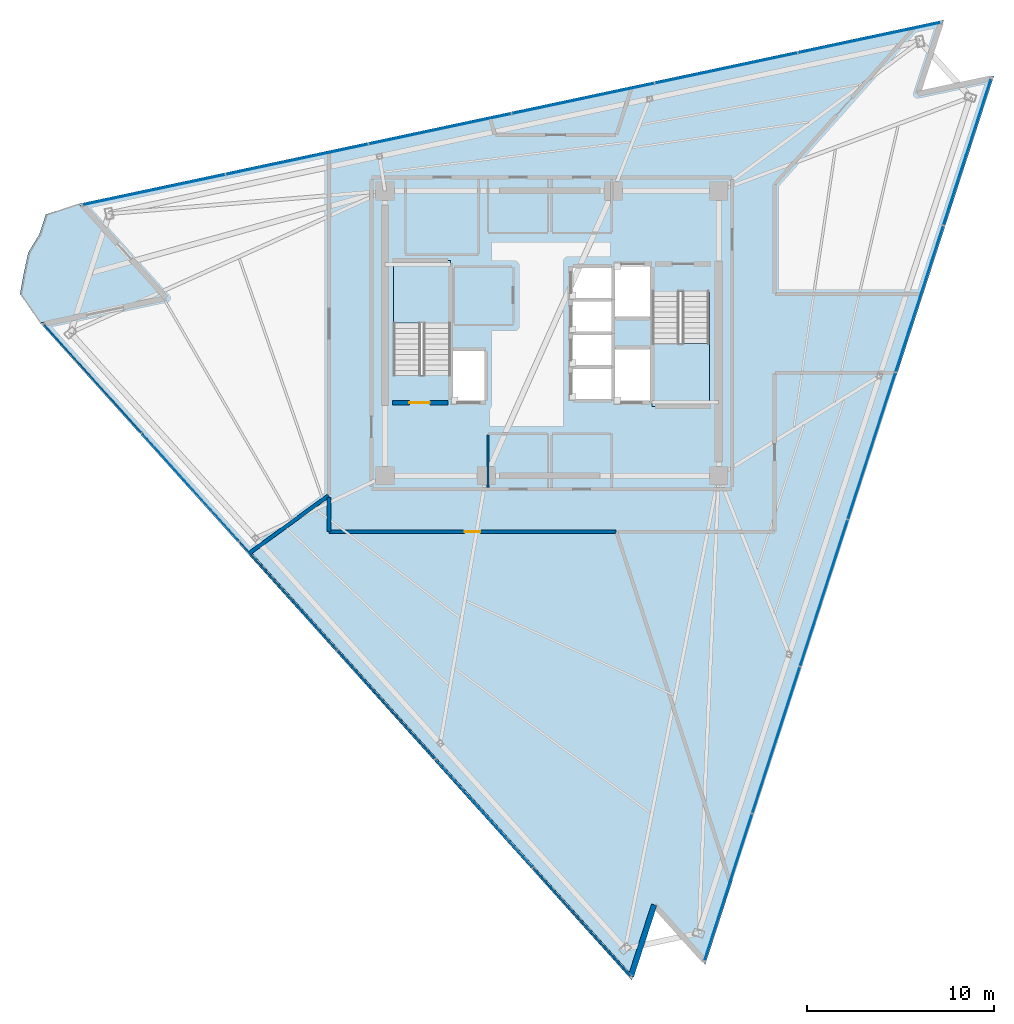
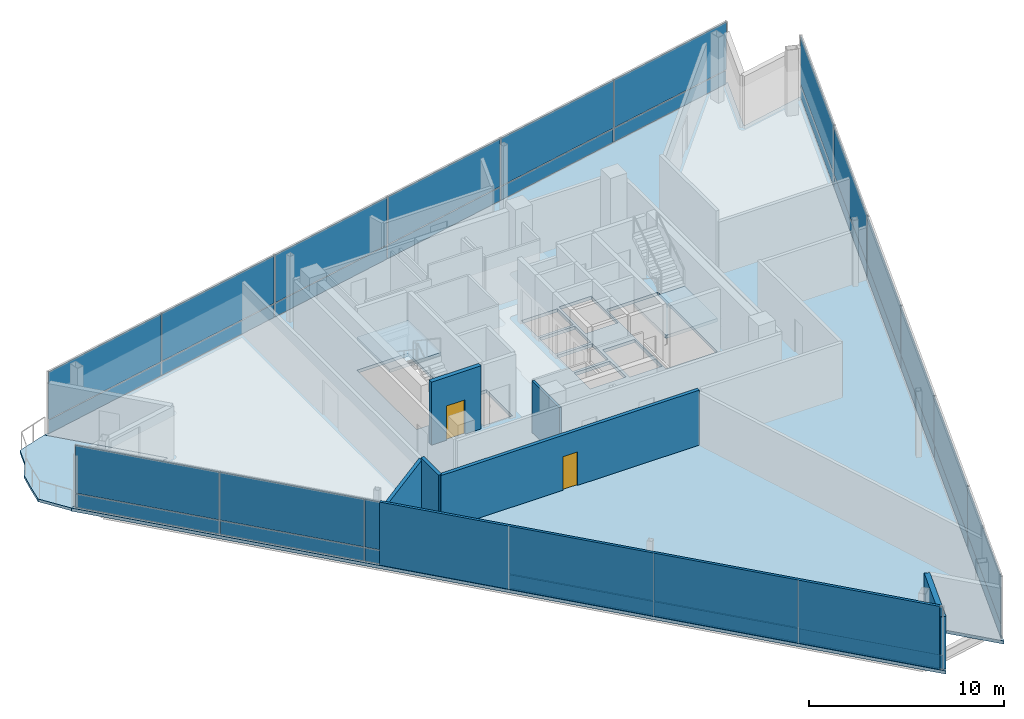
# One storey, part 10 of 16: 36 plates, 7 walls, 4 slabs, 2 doors, 2 openings, 5 elements without a shape of their own.
"""IFC4 building model written with IfcOpenShell, lengths in metres."""

from ifc_helpers import new_model, si_unit, direction, frame, frame_2d, origin, origin_2d, place, context, subcontext, project, spatial, polyline, rectangle, outline, extrude, material, layer, layer_set, type_object, element, fill, aggregate, save


model = new_model("IFC4")

# Units and contexts
model_context = context("Model", 3, precision=1e-05, world=origin(), true_north=direction((0.0, 1.0)))
body_context = subcontext(model_context, "Body", "Model", "MODEL_VIEW")
ifc_project = project(units=[si_unit("LENGTHUNIT", "METRE"), si_unit("AREAUNIT", "SQUARE_METRE"), si_unit("VOLUMEUNIT", "CUBIC_METRE"), si_unit("PLANEANGLEUNIT", "RADIAN"), si_unit("MASSUNIT", "GRAM", prefix="KILO")], contexts=[model_context])

# Site, building, storey
site_placement = place(None, origin())
site = spatial("IfcSite", under=ifc_project, at=site_placement, CompositionType="ELEMENT")
building_placement = place(site_placement, origin())
building = spatial("IfcBuilding", under=site, at=building_placement, Name="Tharavind Bronze Gate", CompositionType="ELEMENT")
storey_placement = place(building_placement, frame((0.0, 0.0, 302.14990234375)))
storey = spatial("IfcBuildingStorey", under=building, at=storey_placement, Name="L78", CompositionType="ELEMENT", Elevation=302.14990234375)

# Curtain wall, plates
ifc_material_1 = material(Name="Anodised Bronze Aluminium", Category="aluminium")
ifc_layer_1 = layer(ifc_material_1, 0.219970703125)
ifc_layer_set_1 = layer_set([ifc_layer_1], Name="Anodised Bronze Aluminium")
curtain_wall_type = type_object("IfcCurtainWallType", Name="UNITISED CURTAIN WALL CROWN", PredefinedType="USERDEFINED", material=ifc_layer_set_1)
curtain_wall_1_placement = place(storey_placement, origin())
curtain_wall_1 = element("IfcCurtainWall", 1, at=curtain_wall_1_placement, inside=storey, type_object=curtain_wall_type, Name="L78 unitised curtain wall crown CW-L78-S1", ObjectType="UNITISED CURTAIN WALL", PredefinedType="USERDEFINED")
ifc_material_2 = material(Name="Patinated Bronze Alloy Sheet", Category="bronze")
ifc_layer_2 = layer(ifc_material_2, 0.01611328125)
ifc_layer_set_2 = layer_set([ifc_layer_2], Name="Patinated Bronze Alloy Sheet")
plate_type_1 = type_object("IfcPlateType", Name="BRONZE SPANDREL CLADDING PANEL 16", PredefinedType="CURTAIN_PANEL", material=ifc_layer_set_2)
plate_1_placement = place(storey_placement, frame((-24.494873046875, -2.404052734375, 0.02685546875), z_axis=(0.0, 0.0, 1.0), x_axis=(0.669130606359, -0.743144825477, 0.0)))
plate_1 = element("IfcPlate", 2, at=plate_1_placement, type_object=plate_type_1, Name="CW-L78-S1 bronze spandrel panel 1", PredefinedType="CURTAIN_PANEL", context=body_context, shape_type="SweptSolid", body=[
    extrude(rectangle(XDim=7.749755859375, YDim=0.01611328125, at=origin_2d()), origin(), (0.0, 0.0, 1.0), 0.846923828125),
])
plate_2_placement = place(storey_placement, frame((-19.273681640625, -8.20263671875, 0.02685546875), z_axis=(0.0, 0.0, 1.0), x_axis=(0.669130606359, -0.743144825477, 0.0)))
plate_2 = element("IfcPlate", 3, at=plate_2_placement, type_object=plate_type_1, Name="CW-L78-S1 bronze spandrel panel 2", PredefinedType="CURTAIN_PANEL", context=body_context, shape_type="SweptSolid", body=[
    extrude(rectangle(XDim=7.749755859375, YDim=0.01611328125, at=origin_2d()), origin(), (0.0, 0.0, 1.0), 0.846923828125),
])
plate_3_placement = place(storey_placement, frame((-14.052734375, -14.001220703125, 0.02685546875), z_axis=(0.0, 0.0, 1.0), x_axis=(0.669130606359, -0.743144825477, 0.0)))
plate_3 = element("IfcPlate", 4, at=plate_3_placement, type_object=plate_type_1, Name="CW-L78-S1 bronze spandrel panel 3", PredefinedType="CURTAIN_PANEL", context=body_context, shape_type="SweptSolid", body=[
    extrude(rectangle(XDim=7.749755859375, YDim=0.01611328125, at=origin_2d()), origin(), (0.0, 0.0, 1.0), 0.846923828125),
])
plate_4_placement = place(storey_placement, frame((-8.831787109375, -19.7998046875, 0.02685546875), z_axis=(0.0, 0.0, 1.0), x_axis=(0.669130606359, -0.743144825477, 0.0)))
plate_4 = element("IfcPlate", 5, at=plate_4_placement, type_object=plate_type_1, Name="CW-L78-S1 bronze spandrel panel 4", PredefinedType="CURTAIN_PANEL", context=body_context, shape_type="SweptSolid", body=[
    extrude(rectangle(XDim=7.749755859375, YDim=0.01611328125, at=origin_2d()), origin(), (0.0, 0.0, 1.0), 0.846923828125),
])
plate_5_placement = place(storey_placement, frame((-3.610595703125, -25.59814453125, 0.02685546875), z_axis=(0.0, 0.0, 1.0), x_axis=(0.669130606359, -0.743144825477, 0.0)))
plate_5 = element("IfcPlate", 6, at=plate_5_placement, type_object=plate_type_1, Name="CW-L78-S1 bronze spandrel panel 5", PredefinedType="CURTAIN_PANEL", context=body_context, shape_type="SweptSolid", body=[
    extrude(rectangle(XDim=7.749755859375, YDim=0.01611328125, at=origin_2d()), origin(), (0.0, 0.0, 1.0), 0.846923828125),
])
plate_6_placement = place(storey_placement, frame((1.6103515625, -31.396728515625, 0.02685546875), z_axis=(0.0, 0.0, 1.0), x_axis=(0.669130606359, -0.743144825477, 0.0)))
plate_6 = element("IfcPlate", 7, at=plate_6_placement, type_object=plate_type_1, Name="CW-L78-S1 bronze spandrel panel 6", PredefinedType="CURTAIN_PANEL", context=body_context, shape_type="SweptSolid", body=[
    extrude(rectangle(XDim=7.749755859375, YDim=0.01611328125, at=origin_2d()), origin(), (0.0, 0.0, 1.0), 0.846923828125),
])

curtain_wall_2_placement = place(storey_placement, origin())
curtain_wall_2 = element("IfcCurtainWall", 8, at=curtain_wall_2_placement, inside=storey, type_object=curtain_wall_type, Name="L78 unitised curtain wall crown CW-L78-S2", ObjectType="UNITISED CURTAIN WALL", PredefinedType="USERDEFINED")
plate_7_placement = place(storey_placement, frame((9.41552734375, -29.54052734375, 0.02685546875), z_axis=(0.0, 0.0, 1.0), x_axis=(0.309016994375, 0.951056516295, 0.0)))
plate_7 = element("IfcPlate", 9, at=plate_7_placement, type_object=plate_type_1, Name="CW-L78-S2 bronze spandrel panel 1", PredefinedType="CURTAIN_PANEL", context=body_context, shape_type="SweptSolid", body=[
    extrude(rectangle(XDim=8.195068359375, YDim=0.01611328125, at=origin_2d()), origin(), (0.0, 0.0, 1.0), 0.846923828125),
])
plate_8_placement = place(storey_placement, frame((11.96435546875, -21.6962890625, 0.02685546875), z_axis=(0.0, 0.0, 1.0), x_axis=(0.309016994375, 0.951056516295, 0.0)))
plate_8 = element("IfcPlate", 10, at=plate_8_placement, type_object=plate_type_1, Name="CW-L78-S2 bronze spandrel panel 2", PredefinedType="CURTAIN_PANEL", context=body_context, shape_type="SweptSolid", body=[
    extrude(rectangle(XDim=8.195068359375, YDim=0.01611328125, at=origin_2d()), origin(), (0.0, 0.0, 1.0), 0.846923828125),
])
plate_9_placement = place(storey_placement, frame((14.51318359375, -13.851806640625, 0.02685546875), z_axis=(0.0, 0.0, 1.0), x_axis=(0.309016994375, 0.951056516295, 0.0)))
plate_9 = element("IfcPlate", 11, at=plate_9_placement, type_object=plate_type_1, Name="CW-L78-S2 bronze spandrel panel 3", PredefinedType="CURTAIN_PANEL", context=body_context, shape_type="SweptSolid", body=[
    extrude(rectangle(XDim=8.195068359375, YDim=0.01611328125, at=origin_2d()), origin(), (0.0, 0.0, 1.0), 0.846923828125),
])
plate_10_placement = place(storey_placement, frame((17.06201171875, -6.007568359375, 0.02685546875), z_axis=(0.0, 0.0, 1.0), x_axis=(0.309016994375, 0.951056516295, 0.0)))
plate_10 = element("IfcPlate", 12, at=plate_10_placement, type_object=plate_type_1, Name="CW-L78-S2 bronze spandrel panel 4", PredefinedType="CURTAIN_PANEL", context=body_context, shape_type="SweptSolid", body=[
    extrude(rectangle(XDim=8.195068359375, YDim=0.01611328125, at=origin_2d()), origin(), (0.0, 0.0, 1.0), 0.846923828125),
])
plate_11_placement = place(storey_placement, frame((19.610595703125, 1.8369140625, 0.02685546875), z_axis=(0.0, 0.0, 1.0), x_axis=(0.309016994375, 0.951056516295, 0.0)))
plate_11 = element("IfcPlate", 13, at=plate_11_placement, type_object=plate_type_1, Name="CW-L78-S2 bronze spandrel panel 5", PredefinedType="CURTAIN_PANEL", context=body_context, shape_type="SweptSolid", body=[
    extrude(rectangle(XDim=8.195068359375, YDim=0.01611328125, at=origin_2d()), origin(), (0.0, 0.0, 1.0), 0.846923828125),
])
plate_12_placement = place(storey_placement, frame((22.159423828125, 9.68115234375, 0.02685546875), z_axis=(0.0, 0.0, 1.0), x_axis=(0.309016994375, 0.951056516295, 0.0)))
plate_12 = element("IfcPlate", 14, at=plate_12_placement, type_object=plate_type_1, Name="CW-L78-S2 bronze spandrel panel 6", PredefinedType="CURTAIN_PANEL", context=body_context, shape_type="SweptSolid", body=[
    extrude(rectangle(XDim=8.195068359375, YDim=0.01611328125, at=origin_2d()), origin(), (0.0, 0.0, 1.0), 0.846923828125),
])

curtain_wall_3_placement = place(storey_placement, origin())
curtain_wall_3 = element("IfcCurtainWall", 15, at=curtain_wall_3_placement, inside=storey, type_object=curtain_wall_type, Name="L78 unitised curtain wall crown CW-L78-S3", ObjectType="UNITISED CURTAIN WALL", PredefinedType="USERDEFINED")
plate_13_placement = place(storey_placement, frame((16.935791015625, 15.770751953125, 0.02685546875), z_axis=(0.0, 0.0, 1.0), x_axis=(-0.978147237858, -0.207913398007, 0.0)))
plate_13 = element("IfcPlate", 16, at=plate_13_placement, type_object=plate_type_1, Name="CW-L78-S3 bronze spandrel panel 1", PredefinedType="CURTAIN_PANEL", context=body_context, shape_type="SweptSolid", body=[
    extrude(rectangle(XDim=7.749755859375, YDim=0.01611328125, at=origin_2d()), origin(), (0.0, 0.0, 1.0), 0.846923828125),
])
plate_14_placement = place(storey_placement, frame((9.3037109375, 14.1484375, 0.02685546875), z_axis=(0.0, 0.0, 1.0), x_axis=(-0.978147237858, -0.207913398007, 0.0)))
plate_14 = element("IfcPlate", 17, at=plate_14_placement, type_object=plate_type_1, Name="CW-L78-S3 bronze spandrel panel 2", PredefinedType="CURTAIN_PANEL", context=body_context, shape_type="SweptSolid", body=[
    extrude(rectangle(XDim=7.749755859375, YDim=0.01611328125, at=origin_2d()), origin(), (0.0, 0.0, 1.0), 0.846923828125),
])
plate_15_placement = place(storey_placement, frame((1.67138671875, 12.526123046875, 0.02685546875), z_axis=(0.0, 0.0, 1.0), x_axis=(-0.978147237858, -0.207913398007, 0.0)))
plate_15 = element("IfcPlate", 18, at=plate_15_placement, type_object=plate_type_1, Name="CW-L78-S3 bronze spandrel panel 3", PredefinedType="CURTAIN_PANEL", context=body_context, shape_type="SweptSolid", body=[
    extrude(rectangle(XDim=7.749755859375, YDim=0.01611328125, at=origin_2d()), origin(), (0.0, 0.0, 1.0), 0.846923828125),
])
plate_16_placement = place(storey_placement, frame((-5.960693359375, 10.90380859375, 0.02685546875), z_axis=(0.0, 0.0, 1.0), x_axis=(-0.978147237858, -0.207913398007, 0.0)))
plate_16 = element("IfcPlate", 19, at=plate_16_placement, type_object=plate_type_1, Name="CW-L78-S3 bronze spandrel panel 4", PredefinedType="CURTAIN_PANEL", context=body_context, shape_type="SweptSolid", body=[
    extrude(rectangle(XDim=7.749755859375, YDim=0.01611328125, at=origin_2d()), origin(), (0.0, 0.0, 1.0), 0.846923828125),
])
plate_17_placement = place(storey_placement, frame((-13.5927734375, 9.281494140625, 0.02685546875), z_axis=(0.0, 0.0, 1.0), x_axis=(-0.978147237858, -0.207913398007, 0.0)))
plate_17 = element("IfcPlate", 20, at=plate_17_placement, type_object=plate_type_1, Name="CW-L78-S3 bronze spandrel panel 5", PredefinedType="CURTAIN_PANEL", context=body_context, shape_type="SweptSolid", body=[
    extrude(rectangle(XDim=7.749755859375, YDim=0.01611328125, at=origin_2d()), origin(), (0.0, 0.0, 1.0), 0.846923828125),
])
plate_18_placement = place(storey_placement, frame((-21.22509765625, 7.6591796875, 0.02685546875), z_axis=(0.0, 0.0, 1.0), x_axis=(-0.978147237858, -0.207913398007, 0.0)))
plate_18 = element("IfcPlate", 21, at=plate_18_placement, type_object=plate_type_1, Name="CW-L78-S3 bronze spandrel panel 6", PredefinedType="CURTAIN_PANEL", context=body_context, shape_type="SweptSolid", body=[
    extrude(rectangle(XDim=7.749755859375, YDim=0.01611328125, at=origin_2d()), origin(), (0.0, 0.0, 1.0), 0.846923828125),
])

# Slab
ifc_material_3 = material(Name="Concrete C40/50", Category="concrete")
ifc_layer_3 = layer(ifc_material_3, 0.175048828125)
ifc_layer_set_3 = layer_set([ifc_layer_3], Name="Concrete C40/50")
slab_type_1 = type_object("IfcSlabType", Name="EXTERIOR BALCONY SLAB 175", PredefinedType="FLOOR", material=ifc_layer_set_3)
slab_1_placement = place(storey_placement, frame((0.0, 0.0, -0.1748046875)))
element("IfcSlab", 22, at=slab_1_placement, inside=storey, type_object=slab_type_1, Name="L78 northeast tree balcony slab", PredefinedType="FLOOR", context=body_context, shape_type="SweptSolid", body=[
    extrude(outline(polyline([(-26.992431640625, 6.34375), (-27.33642578125, 5.284912109375), (-27.927978515625, 4.306396484375), (-28.1650390625, 3.212890625), (-28.36865234375, 2.1083984375), (-27.29541015625, 0.556884765625), (-20.761474609375, 1.94580078125), (-25.231201171875, 6.909912109375), (-26.992431640625, 6.34375)])), origin(), (0.0, 0.0, 1.0), 0.1748046875),
])

# Stair, slab
stair_type = type_object("IfcStairType", Name="CORE HALF TURN STAIR 1450", PredefinedType="HALF_TURN_STAIR", material=ifc_material_3)
stair_1_placement = place(storey_placement, origin())
stair_1 = element("IfcStair", 23, at=stair_1_placement, inside=storey, type_object=stair_type, Name="L78 Protected Exit Stair ST1", PredefinedType="HALF_TURN_STAIR")
ifc_layer_4 = layer(ifc_material_3, 0.199951171875)
ifc_layer_set_4 = layer_set([ifc_layer_4], Name="Concrete C40/50")
slab_type_2 = type_object("IfcSlabType", Name="STAIR LANDING SLAB 200", PredefinedType="LANDING", material=ifc_layer_set_4)
slab_2_placement = place(storey_placement, frame((0.0, 0.0, 1.875)))
slab_2 = element("IfcSlab", 24, at=slab_2_placement, type_object=slab_type_2, Name="ST1 landing 1", PredefinedType="LANDING", context=body_context, shape_type="SweptSolid", body=[
    extrude(outline(polyline([(-5.39990234375, 0.550048828125), (-5.39990234375, 3.89990234375), (-8.449951171875, 3.89990234375), (-8.449951171875, 0.550048828125), (-5.39990234375, 0.550048828125)])), origin(), (0.0, 0.0, 1.0), 0.2001953125),
])
aggregate(stair_1, [slab_2])

stair_2_placement = place(storey_placement, origin())
stair_2 = element("IfcStair", 25, at=stair_2_placement, inside=storey, type_object=stair_type, Name="L78 Protected Exit Stair ST2", PredefinedType="HALF_TURN_STAIR")
slab_3_placement = place(storey_placement, frame((0.0, 0.0, 1.875)))
slab_3 = element("IfcSlab", 26, at=slab_3_placement, type_object=slab_type_2, Name="ST2 landing 1", PredefinedType="LANDING", context=body_context, shape_type="SweptSolid", body=[
    extrude(outline(polyline([(5.35009765625, -0.550048828125), (5.35009765625, -3.89990234375), (8.39990234375, -3.89990234375), (8.39990234375, -0.550048828125), (5.35009765625, -0.550048828125)])), origin(), (0.0, 0.0, 1.0), 0.2001953125),
])
aggregate(stair_2, [slab_3])

# Slab
ifc_layer_5 = layer(ifc_material_3, 0.199951171875)
ifc_layer_set_5 = layer_set([ifc_layer_5], Name="Concrete C40/50")
slab_type_3 = type_object("IfcSlabType", Name="STRUCTURAL FLOOR SLAB 200", PredefinedType="FLOOR", material=ifc_layer_set_5)
slab_4_placement = place(storey_placement, frame((0.0, 0.0, -0.199951171875)))
element("IfcSlab", 27, at=slab_4_placement, inside=storey, type_object=slab_type_3, Name="L78 main structural floor slab", PredefinedType="FLOOR", context=body_context, shape_type="SweptSolid", body=[
    extrude(outline(polyline([(-25.231201171875, 6.909912109375), (-20.761474609375, 1.94580078125), (-27.29541015625, 0.556884765625), (4.262451171875, -34.49169921875), (5.5009765625, -30.6796875), (8.182861328125, -33.658203125), (23.58251953125, 13.737060546875), (19.662109375, 12.90380859375), (20.900634765625, 16.7158203125), (-25.231201171875, 6.909912109375)]), holes=[polyline([(-5.39990234375, -2.215087890625), (-5.39990234375, 3.89990234375), (-8.449951171875, 3.89990234375), (-8.449951171875, -2.215087890625), (-5.39990234375, -2.215087890625)]), polyline([(5.35009765625, 2.215087890625), (5.35009765625, -3.89990234375), (8.39990234375, -3.89990234375), (8.39990234375, 2.215087890625), (5.35009765625, 2.215087890625)]), polyline([(1.080078125, -3.52001953125), (3.199951171875, -3.52001953125), (3.199951171875, -1.8798828125), (1.080078125, -1.8798828125), (1.080078125, -3.52001953125)]), polyline([(1.080078125, -1.719970703125), (3.199951171875, -1.719970703125), (3.199951171875, -0.080078125), (1.080078125, -0.080078125), (1.080078125, -1.719970703125)]), polyline([(1.080078125, 0.080078125), (3.199951171875, 0.080078125), (3.199951171875, 1.719970703125), (1.080078125, 1.719970703125), (1.080078125, 0.080078125)]), polyline([(1.080078125, 1.8798828125), (3.199951171875, 1.8798828125), (3.199951171875, 3.52001953125), (1.080078125, 3.52001953125), (1.080078125, 1.8798828125)]), polyline([(-5.320068359375, -3.6201171875), (-3.580078125, -3.6201171875), (-3.580078125, -0.929931640625), (-5.320068359375, -0.929931640625), (-5.320068359375, -3.6201171875)]), polyline([(3.360107421875, 0.8798828125), (5.27001953125, 0.8798828125), (5.27001953125, 3.6201171875), (3.360107421875, 3.6201171875), (3.360107421875, 0.8798828125)]), polyline([(3.360107421875, -3.6201171875), (5.27001953125, -3.6201171875), (5.27001953125, -0.830078125), (3.360107421875, -0.830078125), (3.360107421875, -3.6201171875)])]), origin(), (0.0, 0.0, 1.0), 0.199951171875),
])

# Plate
ifc_material_4 = material(Name="Triple Solar Control Glazing", Category="glass")
ifc_layer_6 = layer(ifc_material_4, 0.0439453125)
ifc_layer_set_6 = layer_set([ifc_layer_6], Name="Triple Solar Control Glazing")
plate_type_2 = type_object("IfcPlateType", Name="TRIPLE GLAZED FACADE PANEL 44", PredefinedType="CURTAIN_PANEL", material=ifc_layer_set_6)
plate_19_placement = place(storey_placement, frame((-24.494873046875, -2.404052734375, 0.926513671875), z_axis=(0.0, 0.0, 1.0), x_axis=(0.669130606359, -0.743144825477, 0.0)))
plate_19 = element("IfcPlate", 28, at=plate_19_placement, type_object=plate_type_2, Name="CW-L78-S1 vision glazing panel 1", PredefinedType="CURTAIN_PANEL", context=body_context, shape_type="SweptSolid", body=[
    extrude(rectangle(XDim=7.749755859375, YDim=0.0439453125, at=origin_2d()), origin(), (0.0, 0.0, 1.0), 2.9970703125),
])

plate_20_placement = place(storey_placement, frame((-19.273681640625, -8.20263671875, 0.926513671875), z_axis=(0.0, 0.0, 1.0), x_axis=(0.669130606359, -0.743144825477, 0.0)))
plate_20 = element("IfcPlate", 29, at=plate_20_placement, type_object=plate_type_2, Name="CW-L78-S1 vision glazing panel 2", PredefinedType="CURTAIN_PANEL", context=body_context, shape_type="SweptSolid", body=[
    extrude(rectangle(XDim=7.749755859375, YDim=0.0439453125, at=origin_2d()), origin(), (0.0, 0.0, 1.0), 2.9970703125),
])

plate_21_placement = place(storey_placement, frame((-14.052734375, -14.001220703125, 0.926513671875), z_axis=(0.0, 0.0, 1.0), x_axis=(0.669130606359, -0.743144825477, 0.0)))
plate_21 = element("IfcPlate", 30, at=plate_21_placement, type_object=plate_type_2, Name="CW-L78-S1 vision glazing panel 3", PredefinedType="CURTAIN_PANEL", context=body_context, shape_type="SweptSolid", body=[
    extrude(rectangle(XDim=7.749755859375, YDim=0.0439453125, at=origin_2d()), origin(), (0.0, 0.0, 1.0), 2.9970703125),
])

plate_22_placement = place(storey_placement, frame((-8.831787109375, -19.7998046875, 0.926513671875), z_axis=(0.0, 0.0, 1.0), x_axis=(0.669130606359, -0.743144825477, 0.0)))
plate_22 = element("IfcPlate", 31, at=plate_22_placement, type_object=plate_type_2, Name="CW-L78-S1 vision glazing panel 4", PredefinedType="CURTAIN_PANEL", context=body_context, shape_type="SweptSolid", body=[
    extrude(rectangle(XDim=7.749755859375, YDim=0.0439453125, at=origin_2d()), origin(), (0.0, 0.0, 1.0), 2.9970703125),
])

plate_23_placement = place(storey_placement, frame((-3.610595703125, -25.59814453125, 0.926513671875), z_axis=(0.0, 0.0, 1.0), x_axis=(0.669130606359, -0.743144825477, 0.0)))
plate_23 = element("IfcPlate", 32, at=plate_23_placement, type_object=plate_type_2, Name="CW-L78-S1 vision glazing panel 5", PredefinedType="CURTAIN_PANEL", context=body_context, shape_type="SweptSolid", body=[
    extrude(rectangle(XDim=7.749755859375, YDim=0.0439453125, at=origin_2d()), origin(), (0.0, 0.0, 1.0), 2.9970703125),
])

plate_24_placement = place(storey_placement, frame((1.6103515625, -31.396728515625, 0.926513671875), z_axis=(0.0, 0.0, 1.0), x_axis=(0.669130606359, -0.743144825477, 0.0)))
plate_24 = element("IfcPlate", 33, at=plate_24_placement, type_object=plate_type_2, Name="CW-L78-S1 vision glazing panel 6", PredefinedType="CURTAIN_PANEL", context=body_context, shape_type="SweptSolid", body=[
    extrude(rectangle(XDim=7.749755859375, YDim=0.0439453125, at=origin_2d()), origin(), (0.0, 0.0, 1.0), 2.9970703125),
])

aggregate(curtain_wall_1, [plate_1, plate_19, plate_2, plate_20, plate_3, plate_21, plate_4, plate_22, plate_5, plate_23, plate_6, plate_24])

plate_25_placement = place(storey_placement, frame((9.41552734375, -29.54052734375, 0.926513671875), z_axis=(0.0, 0.0, 1.0), x_axis=(0.309016994375, 0.951056516295, 0.0)))
plate_25 = element("IfcPlate", 34, at=plate_25_placement, type_object=plate_type_2, Name="CW-L78-S2 vision glazing panel 1", PredefinedType="CURTAIN_PANEL", context=body_context, shape_type="SweptSolid", body=[
    extrude(rectangle(XDim=8.195068359375, YDim=0.0439453125, at=origin_2d()), origin(), (0.0, 0.0, 1.0), 2.9970703125),
])

plate_26_placement = place(storey_placement, frame((11.96435546875, -21.6962890625, 0.926513671875), z_axis=(0.0, 0.0, 1.0), x_axis=(0.309016994375, 0.951056516295, 0.0)))
plate_26 = element("IfcPlate", 35, at=plate_26_placement, type_object=plate_type_2, Name="CW-L78-S2 vision glazing panel 2", PredefinedType="CURTAIN_PANEL", context=body_context, shape_type="SweptSolid", body=[
    extrude(rectangle(XDim=8.195068359375, YDim=0.0439453125, at=origin_2d()), origin(), (0.0, 0.0, 1.0), 2.9970703125),
])

plate_27_placement = place(storey_placement, frame((14.51318359375, -13.851806640625, 0.926513671875), z_axis=(0.0, 0.0, 1.0), x_axis=(0.309016994375, 0.951056516295, 0.0)))
plate_27 = element("IfcPlate", 36, at=plate_27_placement, type_object=plate_type_2, Name="CW-L78-S2 vision glazing panel 3", PredefinedType="CURTAIN_PANEL", context=body_context, shape_type="SweptSolid", body=[
    extrude(rectangle(XDim=8.195068359375, YDim=0.0439453125, at=origin_2d()), origin(), (0.0, 0.0, 1.0), 2.9970703125),
])

plate_28_placement = place(storey_placement, frame((17.06201171875, -6.007568359375, 0.926513671875), z_axis=(0.0, 0.0, 1.0), x_axis=(0.309016994375, 0.951056516295, 0.0)))
plate_28 = element("IfcPlate", 37, at=plate_28_placement, type_object=plate_type_2, Name="CW-L78-S2 vision glazing panel 4", PredefinedType="CURTAIN_PANEL", context=body_context, shape_type="SweptSolid", body=[
    extrude(rectangle(XDim=8.195068359375, YDim=0.0439453125, at=origin_2d()), origin(), (0.0, 0.0, 1.0), 2.9970703125),
])

plate_29_placement = place(storey_placement, frame((19.610595703125, 1.8369140625, 0.926513671875), z_axis=(0.0, 0.0, 1.0), x_axis=(0.309016994375, 0.951056516295, 0.0)))
plate_29 = element("IfcPlate", 38, at=plate_29_placement, type_object=plate_type_2, Name="CW-L78-S2 vision glazing panel 5", PredefinedType="CURTAIN_PANEL", context=body_context, shape_type="SweptSolid", body=[
    extrude(rectangle(XDim=8.195068359375, YDim=0.0439453125, at=origin_2d()), origin(), (0.0, 0.0, 1.0), 2.9970703125),
])

plate_30_placement = place(storey_placement, frame((22.159423828125, 9.68115234375, 0.926513671875), z_axis=(0.0, 0.0, 1.0), x_axis=(0.309016994375, 0.951056516295, 0.0)))
plate_30 = element("IfcPlate", 39, at=plate_30_placement, type_object=plate_type_2, Name="CW-L78-S2 vision glazing panel 6", PredefinedType="CURTAIN_PANEL", context=body_context, shape_type="SweptSolid", body=[
    extrude(rectangle(XDim=8.195068359375, YDim=0.0439453125, at=origin_2d()), origin(), (0.0, 0.0, 1.0), 2.9970703125),
])

aggregate(curtain_wall_2, [plate_7, plate_25, plate_8, plate_26, plate_9, plate_27, plate_10, plate_28, plate_11, plate_29, plate_12, plate_30])

plate_31_placement = place(storey_placement, frame((16.935791015625, 15.770751953125, 0.926513671875), z_axis=(0.0, 0.0, 1.0), x_axis=(-0.978147237858, -0.207913398007, 0.0)))
plate_31 = element("IfcPlate", 40, at=plate_31_placement, type_object=plate_type_2, Name="CW-L78-S3 vision glazing panel 1", PredefinedType="CURTAIN_PANEL", context=body_context, shape_type="SweptSolid", body=[
    extrude(rectangle(XDim=7.749755859375, YDim=0.0439453125, at=origin_2d()), origin(), (0.0, 0.0, 1.0), 2.9970703125),
])

plate_32_placement = place(storey_placement, frame((9.3037109375, 14.1484375, 0.926513671875), z_axis=(0.0, 0.0, 1.0), x_axis=(-0.978147237858, -0.207913398007, 0.0)))
plate_32 = element("IfcPlate", 41, at=plate_32_placement, type_object=plate_type_2, Name="CW-L78-S3 vision glazing panel 2", PredefinedType="CURTAIN_PANEL", context=body_context, shape_type="SweptSolid", body=[
    extrude(rectangle(XDim=7.749755859375, YDim=0.0439453125, at=origin_2d()), origin(), (0.0, 0.0, 1.0), 2.9970703125),
])

plate_33_placement = place(storey_placement, frame((1.67138671875, 12.526123046875, 0.926513671875), z_axis=(0.0, 0.0, 1.0), x_axis=(-0.978147237858, -0.207913398007, 0.0)))
plate_33 = element("IfcPlate", 42, at=plate_33_placement, type_object=plate_type_2, Name="CW-L78-S3 vision glazing panel 3", PredefinedType="CURTAIN_PANEL", context=body_context, shape_type="SweptSolid", body=[
    extrude(rectangle(XDim=7.749755859375, YDim=0.0439453125, at=origin_2d()), origin(), (0.0, 0.0, 1.0), 2.9970703125),
])

plate_34_placement = place(storey_placement, frame((-5.960693359375, 10.90380859375, 0.926513671875), z_axis=(0.0, 0.0, 1.0), x_axis=(-0.978147237858, -0.207913398007, 0.0)))
plate_34 = element("IfcPlate", 43, at=plate_34_placement, type_object=plate_type_2, Name="CW-L78-S3 vision glazing panel 4", PredefinedType="CURTAIN_PANEL", context=body_context, shape_type="SweptSolid", body=[
    extrude(rectangle(XDim=7.749755859375, YDim=0.0439453125, at=origin_2d()), origin(), (0.0, 0.0, 1.0), 2.9970703125),
])

plate_35_placement = place(storey_placement, frame((-13.5927734375, 9.281494140625, 0.926513671875), z_axis=(0.0, 0.0, 1.0), x_axis=(-0.978147237858, -0.207913398007, 0.0)))
plate_35 = element("IfcPlate", 44, at=plate_35_placement, type_object=plate_type_2, Name="CW-L78-S3 vision glazing panel 5", PredefinedType="CURTAIN_PANEL", context=body_context, shape_type="SweptSolid", body=[
    extrude(rectangle(XDim=7.749755859375, YDim=0.0439453125, at=origin_2d()), origin(), (0.0, 0.0, 1.0), 2.9970703125),
])

plate_36_placement = place(storey_placement, frame((-21.22509765625, 7.6591796875, 0.926513671875), z_axis=(0.0, 0.0, 1.0), x_axis=(-0.978147237858, -0.207913398007, 0.0)))
plate_36 = element("IfcPlate", 45, at=plate_36_placement, type_object=plate_type_2, Name="CW-L78-S3 vision glazing panel 6", PredefinedType="CURTAIN_PANEL", context=body_context, shape_type="SweptSolid", body=[
    extrude(rectangle(XDim=7.749755859375, YDim=0.0439453125, at=origin_2d()), origin(), (0.0, 0.0, 1.0), 2.9970703125),
])

aggregate(curtain_wall_3, [plate_13, plate_31, plate_14, plate_32, plate_15, plate_33, plate_16, plate_34, plate_17, plate_35, plate_18, plate_36])

# Wall
ifc_layer_7 = layer(ifc_material_3, 0.300048828125)
ifc_layer_set_7 = layer_set([ifc_layer_7], Name="Concrete C40/50")
wall_type_1 = type_object("IfcWallType", Name="EXTERIOR SPANDREL WALL 300", PredefinedType="STANDARD", material=ifc_layer_set_7)
wall_1_placement = place(storey_placement, frame((4.220703125, -34.2958984375, 0.0), z_axis=(0.0, 0.0, 1.0), x_axis=(0.309018580232, 0.951056001018, 0.0)))
element("IfcWall", 46, at=wall_1_placement, inside=storey, type_object=wall_type_1, Name="L78 notch cheek wall 2A", PredefinedType="STANDARD", context=body_context, shape_type="SweptSolid", body=[
    extrude(rectangle(XDim=4.0078125, YDim=0.300048828125, at=frame_2d((2.00390625, 0.0))), origin(), (0.0, 0.0, 1.0), 3.295166015625),
])

# Wall, opening, door
ifc_material_5 = material(Name="Aerated Concrete Block", Category="concrete")
ifc_layer_8 = layer(ifc_material_5, 0.199951171875)
ifc_layer_set_8 = layer_set([ifc_layer_8], Name="Aerated Concrete Block")
wall_type_2 = type_object("IfcWallType", Name="FIRE RATED PARTITION 200", PredefinedType="PARTITIONING", material=ifc_layer_set_8)
wall_2_placement = place(storey_placement, frame((-11.87939453125, -10.580078125, 0.0), z_axis=(0.0, 0.0, 1.0), x_axis=(1.0, 0.0, 0.0)))
wall_2 = element("IfcWall", 47, at=wall_2_placement, inside=storey, type_object=wall_type_2, Name="L78 Public Restrooms Block partition", PredefinedType="PARTITIONING", context=body_context, shape_type="SweptSolid", body=[
    extrude(rectangle(XDim=15.298828125, YDim=0.199951171875, at=frame_2d((7.6494140625, 0.0))), origin(), (0.0, 0.0, 1.0), 3.445068359375),
])
opening_1_placement = place(wall_2_placement, frame((7.22412109375, 0.0, 0.0)))
opening_1 = element("IfcOpeningElement", 48, at=opening_1_placement, cuts=wall_2, Name="Opening ID06", PredefinedType="OPENING", context=body_context, shape_type="SweptSolid", body=[
    extrude(rectangle(XDim=0.85009765625, YDim=2.10009765625, at=frame_2d((0.425048828125, 1.050048828125))), frame((0.0, 0.11009765625, 0.0), z_axis=(0.0, -1.0, 0.0), x_axis=(1.0, 0.0, 0.0)), (0.0, 0.0, 1.0), 0.219951171875),
])
ifc_material_6 = material(Name="Moisture-Resistant Timber", Category="wood")
door_type_1 = type_object("IfcDoorType", Name="BATHROOM PRIVACY DOOR 850X2100", OperationType="SINGLE_SWING_RIGHT", PredefinedType="DOOR", material=ifc_material_6)
door_1_placement = place(opening_1_placement, origin())
door_1 = element("IfcDoor", 49, at=door_1_placement, inside=storey, type_object=door_type_1, Name="L78 Public Restrooms Block door", OperationType="SINGLE_SWING_RIGHT", OverallHeight=2.10009765625, OverallWidth=0.85009765625, PredefinedType="DOOR", context=body_context, shape_type="SweptSolid", body=[
    extrude(rectangle(XDim=0.85009765625, YDim=2.10009765625, at=frame_2d((0.425048828125, 1.050048828125))), frame((0.0, 0.02490234375, 0.0), z_axis=(0.0, -1.0, 0.0), x_axis=(1.0, 0.0, 0.0)), (0.0, 0.0, 1.0), 0.050048828125),
])
fill(opening_1, door_1)

# Walls
wall_3_placement = place(storey_placement, frame((-16.093994140625, -11.69287109375, 0.0), z_axis=(0.0, 0.0, 1.0), x_axis=(0.809026537752, 0.587772116736, 0.0)))
element("IfcWall", 50, at=wall_3_placement, inside=storey, type_object=wall_type_2, Name="L78 Public Restrooms Block partition", PredefinedType="PARTITIONING", context=body_context, shape_type="SweptSolid", body=[
    extrude(rectangle(XDim=5.15966796875, YDim=0.199951171875, at=frame_2d((2.579833984375, 0.0))), origin(), (0.0, 0.0, 1.0), 3.295166015625),
])
wall_4_placement = place(storey_placement, frame((-11.8798828125, -8.760986328125, 0.0), z_axis=(0.0, 0.0, 1.0), x_axis=(0.0, -1.0, 0.0)))
element("IfcWall", 51, at=wall_4_placement, inside=storey, type_object=wall_type_2, Name="L78 Public Restrooms Block partition", PredefinedType="PARTITIONING", context=body_context, shape_type="SweptSolid", body=[
    extrude(rectangle(XDim=1.818359375, YDim=0.199951171875, at=frame_2d((0.9091796875, 0.0))), origin(), (0.0, 0.0, 1.0), 3.445068359375),
])
ifc_material_7 = material(Name="Metal Stud Gypsum Partition", Category="gypsum")
ifc_layer_9 = layer(ifc_material_7, 0.1201171875)
ifc_layer_set_9 = layer_set([ifc_layer_9], Name="Metal Stud Gypsum Partition")
wall_type_3 = type_object("IfcWallType", Name="INTERIOR PARTITION WALL 120", PredefinedType="PARTITIONING", material=ifc_layer_set_9)
wall_5_placement = place(storey_placement, frame((-3.39990234375, -5.4150390625, 0.0), z_axis=(0.0, 0.0, 1.0), x_axis=(0.0, -1.0, 0.0)))
element("IfcWall", 52, at=wall_5_placement, inside=storey, type_object=wall_type_3, Name="L78 Core Archive Store partition 4", PredefinedType="PARTITIONING", context=body_context, shape_type="SweptSolid", body=[
    extrude(rectangle(XDim=2.800048828125, YDim=0.1201171875, at=frame_2d((1.39990234375, 0.0))), origin(), (0.0, 0.0, 1.0), 3.2451171875),
])
ifc_material_8 = material(Name="Twin Stud Acoustic Gypsum", Category="gypsum")
ifc_layer_10 = layer(ifc_material_8, 0.14990234375)
ifc_layer_set_10 = layer_set([ifc_layer_10], Name="Twin Stud Acoustic Gypsum")
wall_type_4 = type_object("IfcWallType", Name="INTERIOR PARTITION WALL 150", PredefinedType="PARTITIONING", material=ifc_layer_set_10)
wall_6_placement = place(storey_placement, frame((4.10107421875, -34.1630859375, 0.0), z_axis=(0.0, 0.0, 1.0), x_axis=(-0.669132723426, 0.743142919256, 0.0)))
element("IfcWall", 53, at=wall_6_placement, inside=storey, type_object=wall_type_4, Name="L78 Public Restrooms Block partition", PredefinedType="PARTITIONING", context=body_context, shape_type="SweptSolid", body=[
    extrude(rectangle(XDim=30.186767578125, YDim=0.14990234375, at=frame_2d((15.09326171875, 0.0))), origin(), (0.0, 0.0, 1.0), 3.9501953125),
])

# Wall, opening, door
ifc_material_9 = material(Name="Concrete C50/60", Category="concrete")
ifc_layer_11 = layer(ifc_material_9, 0.25)
ifc_layer_set_11 = layer_set([ifc_layer_11], Name="Concrete C50/60")
wall_type_5 = type_object("IfcWallType", Name="RC CORE SHEAR WALL 250", PredefinedType="SHEAR", material=ifc_layer_set_11)
wall_7_placement = place(storey_placement, frame((-8.5, -3.699951171875, 0.0), z_axis=(0.0, 0.0, 1.0), x_axis=(1.0, 0.0, 0.0)))
wall_7 = element("IfcWall", 54, at=wall_7_placement, inside=storey, type_object=wall_type_5, Name="L78 ST1 shaft south wall", PredefinedType="SHEAR", context=body_context, shape_type="SweptSolid", body=[
    extrude(rectangle(XDim=2.949951171875, YDim=0.25, at=frame_2d((1.47509765625, 0.0))), origin(), (0.0, 0.0, 1.0), 3.9501953125),
])
opening_2_placement = place(wall_7_placement, frame((0.89990234375, 0.0, 0.0)))
opening_2 = element("IfcOpeningElement", 55, at=opening_2_placement, cuts=wall_7, Name="Opening ID01", PredefinedType="OPENING", context=body_context, shape_type="SweptSolid", body=[
    extrude(rectangle(XDim=1.10009765625, YDim=2.14990234375, at=frame_2d((0.550048828125, 1.074951171875))), frame((0.0, 0.135, 0.0), z_axis=(0.0, -1.0, 0.0), x_axis=(1.0, 0.0, 0.0)), (0.0, 0.0, 1.0), 0.27),
])
ifc_material_10 = material(Name="Fire-Rated Steel", Category="steel")
door_type_2 = type_object("IfcDoorType", Name="STAIR CORE FIRE DOOR 1100X2150", OperationType="SINGLE_SWING_LEFT", PredefinedType="DOOR", material=ifc_material_10)
door_2_placement = place(opening_2_placement, origin())
door_2 = element("IfcDoor", 56, at=door_2_placement, inside=storey, type_object=door_type_2, Name="L78 exit stair ST1 fire door", OperationType="SINGLE_SWING_LEFT", OverallHeight=2.14990234375, OverallWidth=1.10009765625, PredefinedType="DOOR", context=body_context, shape_type="SweptSolid", body=[
    extrude(rectangle(XDim=1.10009765625, YDim=2.14990234375, at=frame_2d((0.550048828125, 1.074951171875))), frame((0.0, 0.02490234375, 0.0), z_axis=(0.0, -1.0, 0.0), x_axis=(1.0, 0.0, 0.0)), (0.0, 0.0, 1.0), 0.050048828125),
])
fill(opening_2, door_2)

save(model, "model.ifc")
